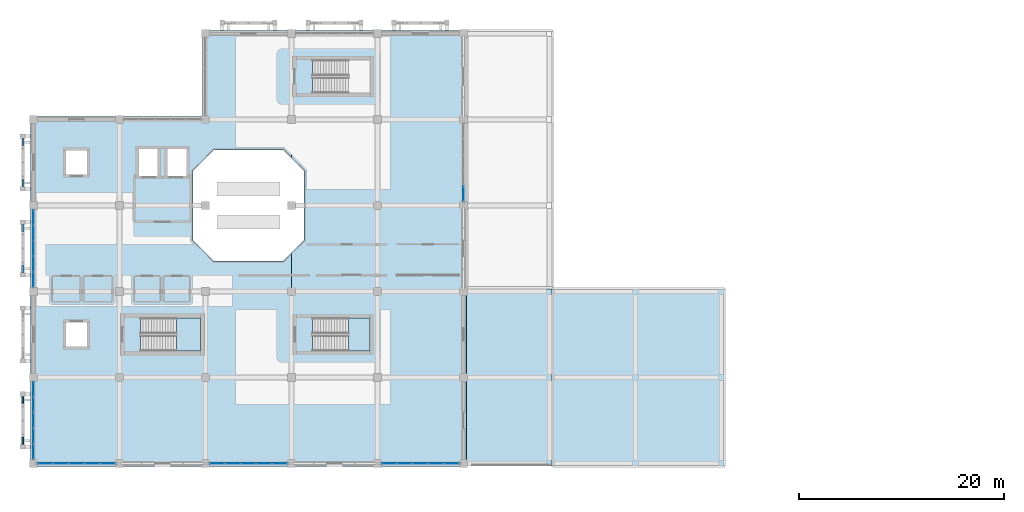
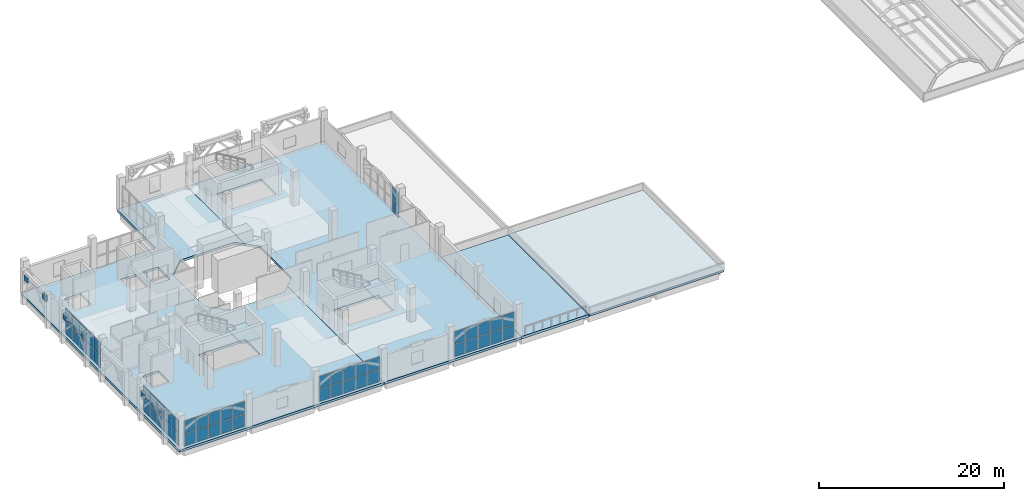
# One storey, part 21 of 34: 58 plates, 6 slabs, 8 elements without a shape of their own.
"""IFC4 building model written with IfcOpenShell, lengths in metres."""

import ifcopenshell
import ifcopenshell.guid

model = None  # the IFC model being written
_history = None  # IfcOwnerHistory: only IFC2X3 demands one
_inside = {}  # id of a spatial element -> (the spatial element, [elements in it])
_under = {}  # id of a project, library or spatial element -> (it, [spatial elements below it])
_declared = {}  # id of a project -> (the project, [libraries it declares])
_typed = {}  # id of a type object -> (the type object, [elements of that type])
_made_of = {}  # id of a material, layer set ... -> (it, [elements and type objects made of it])


def new_model(schema):
    """Start an empty IFC model of exactly this schema.

    Asked for "IFC4X3", IfcOpenShell would pick the latest addendum, in which some entities
    have other attributes; the version numbers below select the first issue.
    IFC2X3 requires an IfcOwnerHistory on every rooted entity: one is made here for all.
    """
    global model, _history
    if schema == "IFC4X3":
        model = ifcopenshell.file(schema_version=(4, 3, 0, 0))
    else:
        model = ifcopenshell.file(schema=schema)
    _inside.clear()
    _under.clear()
    _declared.clear()
    _typed.clear()
    _made_of.clear()
    _history = None
    if model.schema == "IFC2X3":
        org = make("IfcOrganization", Name="unknown")
        user = make(
            "IfcPersonAndOrganization",
            ThePerson=make("IfcPerson", FamilyName="unknown"),
            TheOrganization=org,
        )
        app = make(
            "IfcApplication",
            ApplicationDeveloper=org,
            Version="unknown",
            ApplicationFullName="unknown",
            ApplicationIdentifier="unknown",
        )
        _history = make(
            "IfcOwnerHistory",
            OwningUser=user,
            OwningApplication=app,
            ChangeAction="ADDED",
            CreationDate=0,
        )
    return model


def make(cls, **values):
    """One entity of the class cls with the attributes given. An attribute that is None is left unset."""
    return model.create_entity(
        cls, **{name: value for name, value in values.items() if value is not None}
    )


def rooted(cls, **values):
    """An entity with a GlobalId (a new one), such as an element, a storey or a relation."""
    return make(cls, GlobalId=ifcopenshell.guid.new(), OwnerHistory=_history, **values)


def si_unit(unit_type, name, prefix=None):
    """IfcSIUnit, for example si_unit("LENGTHUNIT", "METRE", prefix="MILLI")."""
    return make("IfcSIUnit", UnitType=unit_type, Prefix=prefix, Name=name)


def assignment(units):
    """IfcUnitAssignment: the units of a project."""
    return None if units is None else make("IfcUnitAssignment", Units=units)


def point(xyz):
    """IfcCartesianPoint."""
    return None if xyz is None else make("IfcCartesianPoint", Coordinates=xyz)


def direction(xyz):
    """IfcDirection."""
    return None if xyz is None else make("IfcDirection", DirectionRatios=xyz)


def frame(location, z_axis=None, x_axis=None):
    """IfcAxis2Placement3D, a coordinate frame: its origin and axes. An axis left out is left unset."""
    return make(
        "IfcAxis2Placement3D",
        Location=point(location),
        Axis=direction(z_axis),
        RefDirection=direction(x_axis),
    )


def frame_2d(location, x_axis=None):
    """IfcAxis2Placement2D, a coordinate frame in the plane: its origin and x axis."""
    return make(
        "IfcAxis2Placement2D", Location=point(location), RefDirection=direction(x_axis)
    )


def origin():
    """The frame at (0, 0, 0) with its axes left unset."""
    return frame((0.0, 0.0, 0.0))


def origin_2d():
    """The frame at (0, 0) in the plane with its x axis left unset."""
    return frame_2d((0.0, 0.0))


def place(relative_to, where):
    """IfcLocalPlacement: puts the frame where relative to a parent placement (None: the world)."""
    return make(
        "IfcLocalPlacement", PlacementRelTo=relative_to, RelativePlacement=where
    )


def context(
    kind, dimensions, precision=None, world=None, true_north=None, identifier=None
):
    """IfcGeometricRepresentationContext, for example the 3D "Model" context."""
    return make(
        "IfcGeometricRepresentationContext",
        ContextIdentifier=identifier,
        ContextType=kind,
        CoordinateSpaceDimension=dimensions,
        Precision=precision,
        WorldCoordinateSystem=world,
        TrueNorth=true_north,
    )


def subcontext(parent, identifier, kind, view, scale=None):
    """IfcGeometricRepresentationSubContext, for example "Body" below "Model"."""
    return make(
        "IfcGeometricRepresentationSubContext",
        ContextIdentifier=identifier,
        ContextType=kind,
        ParentContext=parent,
        TargetScale=scale,
        TargetView=view,
    )


def project(units=None, contexts=None):
    """IfcProject with its units and contexts."""
    return rooted(
        "IfcProject",
        Name="project",
        RepresentationContexts=contexts,
        UnitsInContext=assignment(units),
    )


def spatial(cls, under=None, at=None, **own):
    """A site, building, storey or space (cls), placed at a placement, below another one or the project."""
    s = rooted(cls, ObjectPlacement=at, **own)
    if under is not None:
        _under.setdefault(under.id(), (under, []))[1].append(s)
    return s


def polyline(points):
    """IfcPolyline through the points."""
    return make("IfcPolyline", Points=[point(p) for p in points])


def profile(cls, at=None, kind="AREA", **sizes):
    """A parametric profile (cls). Its sizes go by their IFC names, for example OverallWidth=200.0."""
    return make(cls, ProfileType=kind, Position=at, **sizes)


def rectangle(**sizes):
    """IfcRectangleProfileDef."""
    return profile("IfcRectangleProfileDef", **sizes)


def outline(outer, holes=None, kind="AREA"):
    """IfcArbitraryClosedProfileDef: a profile drawn as a closed curve; with holes, ...WithVoids."""
    if holes is None:
        return make("IfcArbitraryClosedProfileDef", ProfileType=kind, OuterCurve=outer)
    return make(
        "IfcArbitraryProfileDefWithVoids",
        ProfileType=kind,
        OuterCurve=outer,
        InnerCurves=holes,
    )


def extrude(swept, where, along, depth):
    """IfcExtrudedAreaSolid: the profile swept, set in the frame where, extruded along a direction by depth."""
    return make(
        "IfcExtrudedAreaSolid",
        SweptArea=swept,
        Position=where,
        ExtrudedDirection=direction(along),
        Depth=depth,
    )


def shape(context_of_items, identifier, shape_type, items):
    """IfcShapeRepresentation: the items that make up one representation, for example the "Body"."""
    return make(
        "IfcShapeRepresentation",
        ContextOfItems=context_of_items,
        RepresentationIdentifier=identifier,
        RepresentationType=shape_type,
        Items=items,
    )


def material(Name=None, Category=None):
    """IfcMaterial."""
    return make("IfcMaterial", Name=Name, Category=Category)


def layer(
    of_material, thickness, ventilated=None, Name=None, Category=None, Priority=None
):
    """IfcMaterialLayer: one layer of a wall or slab, of a material (None: an air gap)."""
    return make(
        "IfcMaterialLayer",
        Material=of_material,
        LayerThickness=thickness,
        IsVentilated=ventilated,
        Name=Name,
        Category=Category,
        Priority=Priority,
    )


def layer_set(layers, Name=None):
    """IfcMaterialLayerSet."""
    return make("IfcMaterialLayerSet", MaterialLayers=layers, LayerSetName=Name)


def made_of(thing, what):
    """Note that an element or type object is made of a material, layer set ...; save() writes the relation."""
    if what is not None:
        _made_of.setdefault(what.id(), (what, []))[1].append(thing)
    return thing


def type_object(cls, material=None, **own):
    """A type object (cls), such as IfcWallType, which elements share."""
    return made_of(rooted(cls, **own), material)


def element(
    cls,
    number,
    at=None,
    inside=None,
    cuts=None,
    type_object=None,
    material=None,
    context=None,
    identifier="Body",
    shape_type=None,
    held_by="IfcProductDefinitionShape",
    body=None,
    shapes=None,
    **own,
):
    """One element of the class cls, such as IfcWall. Its Tag is "e" and its number.

    at: its placement. inside: the storey or other place that contains it. cuts: it is an
    opening in that element (IfcRelVoidsElement). A single representation is given by context,
    identifier, shape_type and body (its items); several are given by shapes. held_by: the class
    of the entity that holds the representations. save() writes the other relations.
    """
    e = rooted(cls, Tag="e%d" % number, ObjectPlacement=at, **own)
    if body is not None:
        shapes = [shape(context, identifier, shape_type, body)]
    if shapes is not None:
        e.Representation = make(held_by, Representations=shapes)
    if inside is not None:
        _inside.setdefault(inside.id(), (inside, []))[1].append(e)
    if cuts is not None:
        rooted(
            "IfcRelVoidsElement", RelatingBuildingElement=cuts, RelatedOpeningElement=e
        )
    if type_object is not None:
        _typed.setdefault(type_object.id(), (type_object, []))[1].append(e)
    return made_of(e, material)


def aggregate(whole, parts):
    """IfcRelAggregates: a whole, such as a stair, and the parts it consists of."""
    return rooted("IfcRelAggregates", RelatingObject=whole, RelatedObjects=parts)


def save(model, path):
    """Write the relations noted so far, then the file.

    IfcRelAggregates (storeys below a building ...), IfcRelContainedInSpatialStructure (elements
    in a storey), IfcRelDefinesByType, IfcRelAssociatesMaterial and IfcRelDeclares: one each for
    every whole, place, type object, material and project.
    """
    for whole, parts in _under.values():
        aggregate(whole, parts)
    for where, things in _inside.values():
        rooted(
            "IfcRelContainedInSpatialStructure",
            RelatedElements=things,
            RelatingStructure=where,
        )
    for kind, things in _typed.values():
        rooted("IfcRelDefinesByType", RelatedObjects=things, RelatingType=kind)
    for what, things in _made_of.values():
        rooted("IfcRelAssociatesMaterial", RelatedObjects=things, RelatingMaterial=what)
    for by, libraries in _declared.values():
        rooted("IfcRelDeclares", RelatingContext=by, RelatedDefinitions=libraries)
    model.write(path)


model = new_model("IFC4")

# Units and contexts
model_context = context("Model", 3, precision=1e-05, world=origin(), true_north=direction((0.0, 1.0)))
body_context = subcontext(model_context, "Body", "Model", "MODEL_VIEW")
ifc_project = project(units=[si_unit("LENGTHUNIT", "METRE"), si_unit("AREAUNIT", "SQUARE_METRE"), si_unit("VOLUMEUNIT", "CUBIC_METRE"), si_unit("PLANEANGLEUNIT", "RADIAN"), si_unit("MASSUNIT", "GRAM", prefix="KILO")], contexts=[model_context])

# Site, building, storey
site_placement = place(None, origin())
site = spatial("IfcSite", under=ifc_project, at=site_placement, CompositionType="ELEMENT")
building_placement = place(site_placement, origin())
building = spatial("IfcBuilding", under=site, at=building_placement, Name="Xazarin Passage Department Store", CompositionType="ELEMENT")
storey_placement = place(building_placement, frame((0.0, 0.0, 18.89990234375)))
storey = spatial("IfcBuildingStorey", under=building, at=storey_placement, Name="L04", CompositionType="ELEMENT", Elevation=18.89990234375)

# Curtain wall, plates
ifc_material_1 = material(Name="Bronze anodised aluminium", Category="aluminium")
ifc_layer_1 = layer(ifc_material_1, 0.199951171875)
ifc_layer_set_1 = layer_set([ifc_layer_1], Name="Bronze anodised aluminium")
curtain_wall_type = type_object("IfcCurtainWallType", Name="ARC-CW-VIT2", PredefinedType="NOTDEFINED", material=ifc_layer_set_1)
curtain_wall_1_placement = place(storey_placement, origin())
curtain_wall_1 = element("IfcCurtainWall", 1, at=curtain_wall_1_placement, inside=storey, type_object=curtain_wall_type, Name="L04 V1 Curtain Wall 067", PredefinedType="NOTDEFINED")
ifc_material_2 = material(Name="Low-E laminated safety glass", Category="glass")
ifc_layer_2 = layer(ifc_material_2, 0.031982421875)
ifc_layer_set_2 = layer_set([ifc_layer_2], Name="Low-E laminated safety glass")
plate_type_1 = type_object("IfcPlateType", Name="ARC-CWP-GLZ32", PredefinedType="CURTAIN_PANEL", material=ifc_layer_set_2)
plate_1_placement = place(storey_placement, frame((1.15869140625, 68.0, 0.0751953125), z_axis=(0.0, 0.0, 1.0), x_axis=(1.0, 0.0, 0.0)))
plate_1 = element("IfcPlate", 2, at=plate_1_placement, type_object=plate_type_1, Name="CW2 panel 1.1", PredefinedType="CURTAIN_PANEL", context=body_context, shape_type="SweptSolid", body=[
    extrude(rectangle(XDim=1.41748046875, YDim=0.031982421875, at=origin_2d()), origin(), (0.0, 0.0, 1.0), 1.612548828125),
])
plate_2_placement = place(storey_placement, frame((1.15869140625, 68.0, 1.7626953125), z_axis=(0.0, 0.0, 1.0), x_axis=(1.0, 0.0, 0.0)))
plate_2 = element("IfcPlate", 3, at=plate_2_placement, type_object=plate_type_1, Name="CW2 panel 1.2", PredefinedType="CURTAIN_PANEL", context=body_context, shape_type="SweptSolid", body=[
    extrude(rectangle(XDim=1.41748046875, YDim=0.031982421875, at=origin_2d()), origin(), (0.0, 0.0, 1.0), 1.612548828125),
])
plate_3_placement = place(storey_placement, frame((2.669921875, 68.0, 0.0751953125), z_axis=(0.0, 0.0, 1.0), x_axis=(1.0, 0.0, 0.0)))
plate_3 = element("IfcPlate", 4, at=plate_3_placement, type_object=plate_type_1, Name="CW2 panel 2.1", PredefinedType="CURTAIN_PANEL", context=body_context, shape_type="SweptSolid", body=[
    extrude(rectangle(XDim=1.455078125, YDim=0.031982421875, at=origin_2d()), origin(), (0.0, 0.0, 1.0), 1.612548828125),
])
plate_4_placement = place(storey_placement, frame((2.669921875, 68.0, 1.7626953125), z_axis=(0.0, 0.0, 1.0), x_axis=(1.0, 0.0, 0.0)))
plate_4 = element("IfcPlate", 5, at=plate_4_placement, type_object=plate_type_1, Name="CW2 panel 2.2", PredefinedType="CURTAIN_PANEL", context=body_context, shape_type="SweptSolid", body=[
    extrude(rectangle(XDim=1.455078125, YDim=0.031982421875, at=origin_2d()), origin(), (0.0, 0.0, 1.0), 1.612548828125),
])
plate_5_placement = place(storey_placement, frame((4.199951171875, 68.0, 0.0751953125), z_axis=(0.0, 0.0, 1.0), x_axis=(1.0, 0.0, 0.0)))
plate_5 = element("IfcPlate", 6, at=plate_5_placement, type_object=plate_type_1, Name="CW2 panel 3.1", PredefinedType="CURTAIN_PANEL", context=body_context, shape_type="SweptSolid", body=[
    extrude(rectangle(XDim=1.455078125, YDim=0.031982421875, at=origin_2d()), origin(), (0.0, 0.0, 1.0), 1.612548828125),
])
plate_6_placement = place(storey_placement, frame((4.199951171875, 68.0, 1.7626953125), z_axis=(0.0, 0.0, 1.0), x_axis=(1.0, 0.0, 0.0)))
plate_6 = element("IfcPlate", 7, at=plate_6_placement, type_object=plate_type_1, Name="CW2 panel 3.2", PredefinedType="CURTAIN_PANEL", context=body_context, shape_type="SweptSolid", body=[
    extrude(rectangle(XDim=1.455078125, YDim=0.031982421875, at=origin_2d()), origin(), (0.0, 0.0, 1.0), 1.612548828125),
])
plate_7_placement = place(storey_placement, frame((5.72998046875, 68.0, 0.0751953125), z_axis=(0.0, 0.0, 1.0), x_axis=(1.0, 0.0, 0.0)))
plate_7 = element("IfcPlate", 8, at=plate_7_placement, type_object=plate_type_1, Name="CW2 panel 4.1", PredefinedType="CURTAIN_PANEL", context=body_context, shape_type="SweptSolid", body=[
    extrude(rectangle(XDim=1.455078125, YDim=0.031982421875, at=origin_2d()), origin(), (0.0, 0.0, 1.0), 1.612548828125),
])
plate_8_placement = place(storey_placement, frame((5.72998046875, 68.0, 1.7626953125), z_axis=(0.0, 0.0, 1.0), x_axis=(1.0, 0.0, 0.0)))
plate_8 = element("IfcPlate", 9, at=plate_8_placement, type_object=plate_type_1, Name="CW2 panel 4.2", PredefinedType="CURTAIN_PANEL", context=body_context, shape_type="SweptSolid", body=[
    extrude(rectangle(XDim=1.455078125, YDim=0.031982421875, at=origin_2d()), origin(), (0.0, 0.0, 1.0), 1.612548828125),
])
plate_9_placement = place(storey_placement, frame((7.2412109375, 68.0, 0.0751953125), z_axis=(0.0, 0.0, 1.0), x_axis=(1.0, 0.0, 0.0)))
plate_9 = element("IfcPlate", 10, at=plate_9_placement, type_object=plate_type_1, Name="CW2 panel 5.1", PredefinedType="CURTAIN_PANEL", context=body_context, shape_type="SweptSolid", body=[
    extrude(rectangle(XDim=1.41748046875, YDim=0.031982421875, at=origin_2d()), origin(), (0.0, 0.0, 1.0), 1.612548828125),
])
plate_10_placement = place(storey_placement, frame((7.2412109375, 68.0, 1.7626953125), z_axis=(0.0, 0.0, 1.0), x_axis=(1.0, 0.0, 0.0)))
plate_10 = element("IfcPlate", 11, at=plate_10_placement, type_object=plate_type_1, Name="CW2 panel 5.2", PredefinedType="CURTAIN_PANEL", context=body_context, shape_type="SweptSolid", body=[
    extrude(rectangle(XDim=1.41748046875, YDim=0.031982421875, at=origin_2d()), origin(), (0.0, 0.0, 1.0), 1.612548828125),
])
aggregate(curtain_wall_1, [plate_1, plate_2, plate_3, plate_4, plate_5, plate_6, plate_7, plate_8, plate_9, plate_10])

curtain_wall_2_placement = place(storey_placement, origin())
curtain_wall_2 = element("IfcCurtainWall", 12, at=curtain_wall_2_placement, inside=storey, type_object=curtain_wall_type, Name="L04 V1 Curtain Wall 068", PredefinedType="NOTDEFINED")
plate_11_placement = place(storey_placement, frame((17.958740234375, 68.0, 0.0751953125), z_axis=(0.0, 0.0, 1.0), x_axis=(1.0, 0.0, 0.0)))
plate_11 = element("IfcPlate", 13, at=plate_11_placement, type_object=plate_type_1, Name="CW2 panel 1.1", PredefinedType="CURTAIN_PANEL", context=body_context, shape_type="SweptSolid", body=[
    extrude(rectangle(XDim=1.41748046875, YDim=0.031982421875, at=origin_2d()), origin(), (0.0, 0.0, 1.0), 1.612548828125),
])
plate_12_placement = place(storey_placement, frame((17.958740234375, 68.0, 1.7626953125), z_axis=(0.0, 0.0, 1.0), x_axis=(1.0, 0.0, 0.0)))
plate_12 = element("IfcPlate", 14, at=plate_12_placement, type_object=plate_type_1, Name="CW2 panel 1.2", PredefinedType="CURTAIN_PANEL", context=body_context, shape_type="SweptSolid", body=[
    extrude(rectangle(XDim=1.41748046875, YDim=0.031982421875, at=origin_2d()), origin(), (0.0, 0.0, 1.0), 1.612548828125),
])
plate_13_placement = place(storey_placement, frame((19.469970703125, 68.0, 0.0751953125), z_axis=(0.0, 0.0, 1.0), x_axis=(1.0, 0.0, 0.0)))
plate_13 = element("IfcPlate", 15, at=plate_13_placement, type_object=plate_type_1, Name="CW2 panel 2.1", PredefinedType="CURTAIN_PANEL", context=body_context, shape_type="SweptSolid", body=[
    extrude(rectangle(XDim=1.455078125, YDim=0.031982421875, at=origin_2d()), origin(), (0.0, 0.0, 1.0), 1.612548828125),
])
plate_14_placement = place(storey_placement, frame((19.469970703125, 68.0, 1.7626953125), z_axis=(0.0, 0.0, 1.0), x_axis=(1.0, 0.0, 0.0)))
plate_14 = element("IfcPlate", 16, at=plate_14_placement, type_object=plate_type_1, Name="CW2 panel 2.2", PredefinedType="CURTAIN_PANEL", context=body_context, shape_type="SweptSolid", body=[
    extrude(rectangle(XDim=1.455078125, YDim=0.031982421875, at=origin_2d()), origin(), (0.0, 0.0, 1.0), 1.612548828125),
])
plate_15_placement = place(storey_placement, frame((21.0, 68.0, 0.0751953125), z_axis=(0.0, 0.0, 1.0), x_axis=(1.0, 0.0, 0.0)))
plate_15 = element("IfcPlate", 17, at=plate_15_placement, type_object=plate_type_1, Name="CW2 panel 3.1", PredefinedType="CURTAIN_PANEL", context=body_context, shape_type="SweptSolid", body=[
    extrude(rectangle(XDim=1.455078125, YDim=0.031982421875, at=origin_2d()), origin(), (0.0, 0.0, 1.0), 1.612548828125),
])
plate_16_placement = place(storey_placement, frame((21.0, 68.0, 1.7626953125), z_axis=(0.0, 0.0, 1.0), x_axis=(1.0, 0.0, 0.0)))
plate_16 = element("IfcPlate", 18, at=plate_16_placement, type_object=plate_type_1, Name="CW2 panel 3.2", PredefinedType="CURTAIN_PANEL", context=body_context, shape_type="SweptSolid", body=[
    extrude(rectangle(XDim=1.455078125, YDim=0.031982421875, at=origin_2d()), origin(), (0.0, 0.0, 1.0), 1.612548828125),
])
plate_17_placement = place(storey_placement, frame((22.530029296875, 68.0, 0.0751953125), z_axis=(0.0, 0.0, 1.0), x_axis=(1.0, 0.0, 0.0)))
plate_17 = element("IfcPlate", 19, at=plate_17_placement, type_object=plate_type_1, Name="CW2 panel 4.1", PredefinedType="CURTAIN_PANEL", context=body_context, shape_type="SweptSolid", body=[
    extrude(rectangle(XDim=1.455078125, YDim=0.031982421875, at=origin_2d()), origin(), (0.0, 0.0, 1.0), 1.612548828125),
])
plate_18_placement = place(storey_placement, frame((22.530029296875, 68.0, 1.7626953125), z_axis=(0.0, 0.0, 1.0), x_axis=(1.0, 0.0, 0.0)))
plate_18 = element("IfcPlate", 20, at=plate_18_placement, type_object=plate_type_1, Name="CW2 panel 4.2", PredefinedType="CURTAIN_PANEL", context=body_context, shape_type="SweptSolid", body=[
    extrude(rectangle(XDim=1.455078125, YDim=0.031982421875, at=origin_2d()), origin(), (0.0, 0.0, 1.0), 1.612548828125),
])
plate_19_placement = place(storey_placement, frame((24.041259765625, 68.0, 0.0751953125), z_axis=(0.0, 0.0, 1.0), x_axis=(1.0, 0.0, 0.0)))
plate_19 = element("IfcPlate", 21, at=plate_19_placement, type_object=plate_type_1, Name="CW2 panel 5.1", PredefinedType="CURTAIN_PANEL", context=body_context, shape_type="SweptSolid", body=[
    extrude(rectangle(XDim=1.41748046875, YDim=0.031982421875, at=origin_2d()), origin(), (0.0, 0.0, 1.0), 1.612548828125),
])
plate_20_placement = place(storey_placement, frame((24.041259765625, 68.0, 1.7626953125), z_axis=(0.0, 0.0, 1.0), x_axis=(1.0, 0.0, 0.0)))
plate_20 = element("IfcPlate", 22, at=plate_20_placement, type_object=plate_type_1, Name="CW2 panel 5.2", PredefinedType="CURTAIN_PANEL", context=body_context, shape_type="SweptSolid", body=[
    extrude(rectangle(XDim=1.41748046875, YDim=0.031982421875, at=origin_2d()), origin(), (0.0, 0.0, 1.0), 1.612548828125),
])
aggregate(curtain_wall_2, [plate_11, plate_12, plate_13, plate_14, plate_15, plate_16, plate_17, plate_18, plate_19, plate_20])

curtain_wall_3_placement = place(storey_placement, origin())
curtain_wall_3 = element("IfcCurtainWall", 23, at=curtain_wall_3_placement, inside=storey, type_object=curtain_wall_type, Name="L04 V1 Curtain Wall 069", PredefinedType="NOTDEFINED")
plate_21_placement = place(storey_placement, frame((34.7587890625, 68.0, 0.0751953125), z_axis=(0.0, 0.0, 1.0), x_axis=(1.0, 0.0, 0.0)))
plate_21 = element("IfcPlate", 24, at=plate_21_placement, type_object=plate_type_1, Name="CW2 panel 1.1", PredefinedType="CURTAIN_PANEL", context=body_context, shape_type="SweptSolid", body=[
    extrude(rectangle(XDim=1.41748046875, YDim=0.031982421875, at=origin_2d()), origin(), (0.0, 0.0, 1.0), 1.612548828125),
])
plate_22_placement = place(storey_placement, frame((34.7587890625, 68.0, 1.7626953125), z_axis=(0.0, 0.0, 1.0), x_axis=(1.0, 0.0, 0.0)))
plate_22 = element("IfcPlate", 25, at=plate_22_placement, type_object=plate_type_1, Name="CW2 panel 1.2", PredefinedType="CURTAIN_PANEL", context=body_context, shape_type="SweptSolid", body=[
    extrude(rectangle(XDim=1.41748046875, YDim=0.031982421875, at=origin_2d()), origin(), (0.0, 0.0, 1.0), 1.612548828125),
])
plate_23_placement = place(storey_placement, frame((36.27001953125, 68.0, 0.0751953125), z_axis=(0.0, 0.0, 1.0), x_axis=(1.0, 0.0, 0.0)))
plate_23 = element("IfcPlate", 26, at=plate_23_placement, type_object=plate_type_1, Name="CW2 panel 2.1", PredefinedType="CURTAIN_PANEL", context=body_context, shape_type="SweptSolid", body=[
    extrude(rectangle(XDim=1.455078125, YDim=0.031982421875, at=origin_2d()), origin(), (0.0, 0.0, 1.0), 1.612548828125),
])
plate_24_placement = place(storey_placement, frame((36.27001953125, 68.0, 1.7626953125), z_axis=(0.0, 0.0, 1.0), x_axis=(1.0, 0.0, 0.0)))
plate_24 = element("IfcPlate", 27, at=plate_24_placement, type_object=plate_type_1, Name="CW2 panel 2.2", PredefinedType="CURTAIN_PANEL", context=body_context, shape_type="SweptSolid", body=[
    extrude(rectangle(XDim=1.455078125, YDim=0.031982421875, at=origin_2d()), origin(), (0.0, 0.0, 1.0), 1.612548828125),
])
plate_25_placement = place(storey_placement, frame((37.800048828125, 68.0, 0.0751953125), z_axis=(0.0, 0.0, 1.0), x_axis=(1.0, 0.0, 0.0)))
plate_25 = element("IfcPlate", 28, at=plate_25_placement, type_object=plate_type_1, Name="CW2 panel 3.1", PredefinedType="CURTAIN_PANEL", context=body_context, shape_type="SweptSolid", body=[
    extrude(rectangle(XDim=1.455078125, YDim=0.031982421875, at=origin_2d()), origin(), (0.0, 0.0, 1.0), 1.612548828125),
])
plate_26_placement = place(storey_placement, frame((37.800048828125, 68.0, 1.7626953125), z_axis=(0.0, 0.0, 1.0), x_axis=(1.0, 0.0, 0.0)))
plate_26 = element("IfcPlate", 29, at=plate_26_placement, type_object=plate_type_1, Name="CW2 panel 3.2", PredefinedType="CURTAIN_PANEL", context=body_context, shape_type="SweptSolid", body=[
    extrude(rectangle(XDim=1.455078125, YDim=0.031982421875, at=origin_2d()), origin(), (0.0, 0.0, 1.0), 1.612548828125),
])
plate_27_placement = place(storey_placement, frame((39.330078125, 68.0, 0.0751953125), z_axis=(0.0, 0.0, 1.0), x_axis=(1.0, 0.0, 0.0)))
plate_27 = element("IfcPlate", 30, at=plate_27_placement, type_object=plate_type_1, Name="CW2 panel 4.1", PredefinedType="CURTAIN_PANEL", context=body_context, shape_type="SweptSolid", body=[
    extrude(rectangle(XDim=1.455078125, YDim=0.031982421875, at=origin_2d()), origin(), (0.0, 0.0, 1.0), 1.612548828125),
])
plate_28_placement = place(storey_placement, frame((39.330078125, 68.0, 1.7626953125), z_axis=(0.0, 0.0, 1.0), x_axis=(1.0, 0.0, 0.0)))
plate_28 = element("IfcPlate", 31, at=plate_28_placement, type_object=plate_type_1, Name="CW2 panel 4.2", PredefinedType="CURTAIN_PANEL", context=body_context, shape_type="SweptSolid", body=[
    extrude(rectangle(XDim=1.455078125, YDim=0.031982421875, at=origin_2d()), origin(), (0.0, 0.0, 1.0), 1.612548828125),
])
plate_29_placement = place(storey_placement, frame((40.84130859375, 68.0, 0.0751953125), z_axis=(0.0, 0.0, 1.0), x_axis=(1.0, 0.0, 0.0)))
plate_29 = element("IfcPlate", 32, at=plate_29_placement, type_object=plate_type_1, Name="CW2 panel 5.1", PredefinedType="CURTAIN_PANEL", context=body_context, shape_type="SweptSolid", body=[
    extrude(rectangle(XDim=1.41748046875, YDim=0.031982421875, at=origin_2d()), origin(), (0.0, 0.0, 1.0), 1.612548828125),
])
plate_30_placement = place(storey_placement, frame((40.84130859375, 68.0, 1.7626953125), z_axis=(0.0, 0.0, 1.0), x_axis=(1.0, 0.0, 0.0)))
plate_30 = element("IfcPlate", 33, at=plate_30_placement, type_object=plate_type_1, Name="CW2 panel 5.2", PredefinedType="CURTAIN_PANEL", context=body_context, shape_type="SweptSolid", body=[
    extrude(rectangle(XDim=1.41748046875, YDim=0.031982421875, at=origin_2d()), origin(), (0.0, 0.0, 1.0), 1.612548828125),
])
aggregate(curtain_wall_3, [plate_21, plate_22, plate_23, plate_24, plate_25, plate_26, plate_27, plate_28, plate_29, plate_30])

curtain_wall_4_placement = place(storey_placement, origin())
curtain_wall_4 = element("IfcCurtainWall", 34, at=curtain_wall_4_placement, inside=storey, type_object=curtain_wall_type, Name="L04 V1 Curtain Wall 072", PredefinedType="NOTDEFINED")
plate_31_placement = place(storey_placement, frame((0.0, 69.15869140625, 0.0751953125), z_axis=(0.0, 0.0, 1.0), x_axis=(0.0, 1.0, 0.0)))
plate_31 = element("IfcPlate", 35, at=plate_31_placement, type_object=plate_type_1, Name="CW2 panel 1.1", PredefinedType="CURTAIN_PANEL", context=body_context, shape_type="SweptSolid", body=[
    extrude(rectangle(XDim=1.41748046875, YDim=0.031982421875, at=origin_2d()), origin(), (0.0, 0.0, 1.0), 1.612548828125),
])
plate_32_placement = place(storey_placement, frame((0.0, 69.15869140625, 1.7626953125), z_axis=(0.0, 0.0, 1.0), x_axis=(0.0, 1.0, 0.0)))
plate_32 = element("IfcPlate", 36, at=plate_32_placement, type_object=plate_type_1, Name="CW2 panel 1.2", PredefinedType="CURTAIN_PANEL", context=body_context, shape_type="SweptSolid", body=[
    extrude(rectangle(XDim=1.41748046875, YDim=0.031982421875, at=origin_2d()), origin(), (0.0, 0.0, 1.0), 1.612548828125),
])
plate_33_placement = place(storey_placement, frame((0.0, 70.669921875, 0.0751953125), z_axis=(0.0, 0.0, 1.0), x_axis=(0.0, 1.0, 0.0)))
plate_33 = element("IfcPlate", 37, at=plate_33_placement, type_object=plate_type_1, Name="CW2 panel 2.1", PredefinedType="CURTAIN_PANEL", context=body_context, shape_type="SweptSolid", body=[
    extrude(rectangle(XDim=1.455078125, YDim=0.031982421875, at=origin_2d()), origin(), (0.0, 0.0, 1.0), 1.612548828125),
])
plate_34_placement = place(storey_placement, frame((0.0, 70.669921875, 1.7626953125), z_axis=(0.0, 0.0, 1.0), x_axis=(0.0, 1.0, 0.0)))
plate_34 = element("IfcPlate", 38, at=plate_34_placement, type_object=plate_type_1, Name="CW2 panel 2.2", PredefinedType="CURTAIN_PANEL", context=body_context, shape_type="SweptSolid", body=[
    extrude(rectangle(XDim=1.455078125, YDim=0.031982421875, at=origin_2d()), origin(), (0.0, 0.0, 1.0), 1.612548828125),
])
plate_35_placement = place(storey_placement, frame((0.0, 72.199951171875, 0.0751953125), z_axis=(0.0, 0.0, 1.0), x_axis=(0.0, 1.0, 0.0)))
plate_35 = element("IfcPlate", 39, at=plate_35_placement, type_object=plate_type_1, Name="CW2 panel 3.1", PredefinedType="CURTAIN_PANEL", context=body_context, shape_type="SweptSolid", body=[
    extrude(rectangle(XDim=1.455078125, YDim=0.031982421875, at=origin_2d()), origin(), (0.0, 0.0, 1.0), 1.612548828125),
])
plate_36_placement = place(storey_placement, frame((0.0, 72.199951171875, 1.7626953125), z_axis=(0.0, 0.0, 1.0), x_axis=(0.0, 1.0, 0.0)))
plate_36 = element("IfcPlate", 40, at=plate_36_placement, type_object=plate_type_1, Name="CW2 panel 3.2", PredefinedType="CURTAIN_PANEL", context=body_context, shape_type="SweptSolid", body=[
    extrude(rectangle(XDim=1.455078125, YDim=0.031982421875, at=origin_2d()), origin(), (0.0, 0.0, 1.0), 1.612548828125),
])
plate_37_placement = place(storey_placement, frame((0.0, 73.72998046875, 0.0751953125), z_axis=(0.0, 0.0, 1.0), x_axis=(0.0, 1.0, 0.0)))
plate_37 = element("IfcPlate", 41, at=plate_37_placement, type_object=plate_type_1, Name="CW2 panel 4.1", PredefinedType="CURTAIN_PANEL", context=body_context, shape_type="SweptSolid", body=[
    extrude(rectangle(XDim=1.455078125, YDim=0.031982421875, at=origin_2d()), origin(), (0.0, 0.0, 1.0), 1.612548828125),
])
plate_38_placement = place(storey_placement, frame((0.0, 73.72998046875, 1.7626953125), z_axis=(0.0, 0.0, 1.0), x_axis=(0.0, 1.0, 0.0)))
plate_38 = element("IfcPlate", 42, at=plate_38_placement, type_object=plate_type_1, Name="CW2 panel 4.2", PredefinedType="CURTAIN_PANEL", context=body_context, shape_type="SweptSolid", body=[
    extrude(rectangle(XDim=1.455078125, YDim=0.031982421875, at=origin_2d()), origin(), (0.0, 0.0, 1.0), 1.612548828125),
])
plate_39_placement = place(storey_placement, frame((0.0, 75.2412109375, 0.0751953125), z_axis=(0.0, 0.0, 1.0), x_axis=(0.0, 1.0, 0.0)))
plate_39 = element("IfcPlate", 43, at=plate_39_placement, type_object=plate_type_1, Name="CW2 panel 5.1", PredefinedType="CURTAIN_PANEL", context=body_context, shape_type="SweptSolid", body=[
    extrude(rectangle(XDim=1.41748046875, YDim=0.031982421875, at=origin_2d()), origin(), (0.0, 0.0, 1.0), 1.612548828125),
])
plate_40_placement = place(storey_placement, frame((0.0, 75.2412109375, 1.7626953125), z_axis=(0.0, 0.0, 1.0), x_axis=(0.0, 1.0, 0.0)))
plate_40 = element("IfcPlate", 44, at=plate_40_placement, type_object=plate_type_1, Name="CW2 panel 5.2", PredefinedType="CURTAIN_PANEL", context=body_context, shape_type="SweptSolid", body=[
    extrude(rectangle(XDim=1.41748046875, YDim=0.031982421875, at=origin_2d()), origin(), (0.0, 0.0, 1.0), 1.612548828125),
])
aggregate(curtain_wall_4, [plate_31, plate_32, plate_33, plate_34, plate_35, plate_36, plate_37, plate_38, plate_39, plate_40])

curtain_wall_5_placement = place(storey_placement, origin())
curtain_wall_5 = element("IfcCurtainWall", 45, at=curtain_wall_5_placement, inside=storey, type_object=curtain_wall_type, Name="L04 V1 Curtain Wall 073", PredefinedType="NOTDEFINED")
plate_41_placement = place(storey_placement, frame((0.0, 85.958740234375, 0.0751953125), z_axis=(0.0, 0.0, 1.0), x_axis=(0.0, 1.0, 0.0)))
plate_41 = element("IfcPlate", 46, at=plate_41_placement, type_object=plate_type_1, Name="CW2 panel 1.1", PredefinedType="CURTAIN_PANEL", context=body_context, shape_type="SweptSolid", body=[
    extrude(rectangle(XDim=1.41748046875, YDim=0.031982421875, at=origin_2d()), origin(), (0.0, 0.0, 1.0), 1.612548828125),
])
plate_42_placement = place(storey_placement, frame((0.0, 85.958740234375, 1.7626953125), z_axis=(0.0, 0.0, 1.0), x_axis=(0.0, 1.0, 0.0)))
plate_42 = element("IfcPlate", 47, at=plate_42_placement, type_object=plate_type_1, Name="CW2 panel 1.2", PredefinedType="CURTAIN_PANEL", context=body_context, shape_type="SweptSolid", body=[
    extrude(rectangle(XDim=1.41748046875, YDim=0.031982421875, at=origin_2d()), origin(), (0.0, 0.0, 1.0), 1.612548828125),
])
plate_43_placement = place(storey_placement, frame((0.0, 87.469970703125, 0.0751953125), z_axis=(0.0, 0.0, 1.0), x_axis=(0.0, 1.0, 0.0)))
plate_43 = element("IfcPlate", 48, at=plate_43_placement, type_object=plate_type_1, Name="CW2 panel 2.1", PredefinedType="CURTAIN_PANEL", context=body_context, shape_type="SweptSolid", body=[
    extrude(rectangle(XDim=1.455078125, YDim=0.031982421875, at=origin_2d()), origin(), (0.0, 0.0, 1.0), 1.612548828125),
])
plate_44_placement = place(storey_placement, frame((0.0, 87.469970703125, 1.7626953125), z_axis=(0.0, 0.0, 1.0), x_axis=(0.0, 1.0, 0.0)))
plate_44 = element("IfcPlate", 49, at=plate_44_placement, type_object=plate_type_1, Name="CW2 panel 2.2", PredefinedType="CURTAIN_PANEL", context=body_context, shape_type="SweptSolid", body=[
    extrude(rectangle(XDim=1.455078125, YDim=0.031982421875, at=origin_2d()), origin(), (0.0, 0.0, 1.0), 1.612548828125),
])
plate_45_placement = place(storey_placement, frame((0.0, 89.0, 0.0751953125), z_axis=(0.0, 0.0, 1.0), x_axis=(0.0, 1.0, 0.0)))
plate_45 = element("IfcPlate", 50, at=plate_45_placement, type_object=plate_type_1, Name="CW2 panel 3.1", PredefinedType="CURTAIN_PANEL", context=body_context, shape_type="SweptSolid", body=[
    extrude(rectangle(XDim=1.455078125, YDim=0.031982421875, at=origin_2d()), origin(), (0.0, 0.0, 1.0), 1.612548828125),
])
plate_46_placement = place(storey_placement, frame((0.0, 89.0, 1.7626953125), z_axis=(0.0, 0.0, 1.0), x_axis=(0.0, 1.0, 0.0)))
plate_46 = element("IfcPlate", 51, at=plate_46_placement, type_object=plate_type_1, Name="CW2 panel 3.2", PredefinedType="CURTAIN_PANEL", context=body_context, shape_type="SweptSolid", body=[
    extrude(rectangle(XDim=1.455078125, YDim=0.031982421875, at=origin_2d()), origin(), (0.0, 0.0, 1.0), 1.612548828125),
])
plate_47_placement = place(storey_placement, frame((0.0, 90.530029296875, 0.0751953125), z_axis=(0.0, 0.0, 1.0), x_axis=(0.0, 1.0, 0.0)))
plate_47 = element("IfcPlate", 52, at=plate_47_placement, type_object=plate_type_1, Name="CW2 panel 4.1", PredefinedType="CURTAIN_PANEL", context=body_context, shape_type="SweptSolid", body=[
    extrude(rectangle(XDim=1.455078125, YDim=0.031982421875, at=origin_2d()), origin(), (0.0, 0.0, 1.0), 1.612548828125),
])
plate_48_placement = place(storey_placement, frame((0.0, 90.530029296875, 1.7626953125), z_axis=(0.0, 0.0, 1.0), x_axis=(0.0, 1.0, 0.0)))
plate_48 = element("IfcPlate", 53, at=plate_48_placement, type_object=plate_type_1, Name="CW2 panel 4.2", PredefinedType="CURTAIN_PANEL", context=body_context, shape_type="SweptSolid", body=[
    extrude(rectangle(XDim=1.455078125, YDim=0.031982421875, at=origin_2d()), origin(), (0.0, 0.0, 1.0), 1.612548828125),
])
plate_49_placement = place(storey_placement, frame((0.0, 92.041259765625, 0.0751953125), z_axis=(0.0, 0.0, 1.0), x_axis=(0.0, 1.0, 0.0)))
plate_49 = element("IfcPlate", 54, at=plate_49_placement, type_object=plate_type_1, Name="CW2 panel 5.1", PredefinedType="CURTAIN_PANEL", context=body_context, shape_type="SweptSolid", body=[
    extrude(rectangle(XDim=1.41748046875, YDim=0.031982421875, at=origin_2d()), origin(), (0.0, 0.0, 1.0), 1.612548828125),
])
plate_50_placement = place(storey_placement, frame((0.0, 92.041259765625, 1.7626953125), z_axis=(0.0, 0.0, 1.0), x_axis=(0.0, 1.0, 0.0)))
plate_50 = element("IfcPlate", 55, at=plate_50_placement, type_object=plate_type_1, Name="CW2 panel 5.2", PredefinedType="CURTAIN_PANEL", context=body_context, shape_type="SweptSolid", body=[
    extrude(rectangle(XDim=1.41748046875, YDim=0.031982421875, at=origin_2d()), origin(), (0.0, 0.0, 1.0), 1.612548828125),
])
aggregate(curtain_wall_5, [plate_41, plate_42, plate_43, plate_44, plate_45, plate_46, plate_47, plate_48, plate_49, plate_50])

curtain_wall_6_placement = place(storey_placement, origin())
curtain_wall_6 = element("IfcCurtainWall", 56, at=curtain_wall_6_placement, inside=storey, type_object=curtain_wall_type, Name="L04 V1 Curtain Wall 075", PredefinedType="NOTDEFINED")
plate_51_placement = place(storey_placement, frame((42.0, 94.358642578125, 0.0751953125), z_axis=(0.0, 0.0, 1.0), x_axis=(0.0, 1.0, 0.0)))
plate_51 = element("IfcPlate", 57, at=plate_51_placement, type_object=plate_type_1, Name="CW2 panel 1.1", PredefinedType="CURTAIN_PANEL", context=body_context, shape_type="SweptSolid", body=[
    extrude(rectangle(XDim=1.41748046875, YDim=0.031982421875, at=origin_2d()), origin(), (0.0, 0.0, 1.0), 1.612548828125),
])
plate_52_placement = place(storey_placement, frame((42.0, 94.358642578125, 1.7626953125), z_axis=(0.0, 0.0, 1.0), x_axis=(0.0, 1.0, 0.0)))
plate_52 = element("IfcPlate", 58, at=plate_52_placement, type_object=plate_type_1, Name="CW2 panel 1.2", PredefinedType="CURTAIN_PANEL", context=body_context, shape_type="SweptSolid", body=[
    extrude(rectangle(XDim=1.41748046875, YDim=0.031982421875, at=origin_2d()), origin(), (0.0, 0.0, 1.0), 1.612548828125),
])
aggregate(curtain_wall_6, [plate_51, plate_52])

# Plates
ifc_material_3 = material(Name="Precast concrete C40/50", Category="concrete")
ifc_layer_3 = layer(ifc_material_3, 0.179931640625)
ifc_layer_set_3 = layer_set([ifc_layer_3], Name="Precast concrete C40/50")
plate_type_2 = type_object("IfcPlateType", Name="ARC-PLT-SCR-11", PredefinedType="USERDEFINED", material=ifc_layer_set_3)
for number, where, z_axis, x_axis, name in (
    (59, (-1.050048828125, 70.199951171875, 3.26025390625), (0.0, 0.0, 1.0), (0.0, 1.0, 0.0), "L04 V1 Arch Spandrel Tympanum 0091"),
    (60, (-1.050048828125, 74.199951171875, 3.26025390625), (0.0, 0.0, 1.0), (0.0, 1.0, 0.0), "L04 V1 Arch Spandrel Tympanum 0092"),
):
    element("IfcPlate", number, at=place(storey_placement, frame(where, z_axis=z_axis, x_axis=x_axis)), inside=storey, type_object=plate_type_2, Name=name, ObjectType="SCREEN PANEL", PredefinedType="USERDEFINED", context=body_context, shape_type="SweptSolid", body=[
        extrude(rectangle(XDim=0.679931640625, YDim=0.179931640625, at=origin_2d()), origin(), (0.0, 0.0, 1.0), 0.719970703125),
    ])
ifc_layer_4 = layer(ifc_material_3, 0.199951171875)
ifc_layer_set_4 = layer_set([ifc_layer_4], Name="Precast concrete C40/50")
plate_type_3 = type_object("IfcPlateType", Name="ARC-PLT-SCR-13", PredefinedType="USERDEFINED", material=ifc_layer_set_4)
for number, where, z_axis, x_axis, name in (
    (61, (-1.050048828125, 95.39990234375, 3.26025390625), (0.0, 0.0, 1.0), (0.0, 1.0, 0.0), "L04 V1 Arch Spandrel Tympanum 0133"),
    (62, (-1.050048828125, 99.39990234375, 3.26025390625), (0.0, 0.0, 1.0), (0.0, 1.0, 0.0), "L04 V1 Arch Spandrel Tympanum 0134"),
):
    element("IfcPlate", number, at=place(storey_placement, frame(where, z_axis=z_axis, x_axis=x_axis)), inside=storey, type_object=plate_type_3, Name=name, ObjectType="SCREEN PANEL", PredefinedType="USERDEFINED", context=body_context, shape_type="SweptSolid", body=[
        extrude(rectangle(XDim=0.679931640625, YDim=0.199951171875, at=origin_2d()), origin(), (0.0, 0.0, 1.0), 0.719970703125),
    ])
ifc_layer_5 = layer(ifc_material_3, 0.239990234375)
ifc_layer_set_5 = layer_set([ifc_layer_5], Name="Precast concrete C40/50")
plate_type_4 = type_object("IfcPlateType", Name="ARC-PLT-SCR-17", PredefinedType="USERDEFINED", material=ifc_layer_set_5)
for number, where, z_axis, x_axis, name in (
    (63, (-1.050048828125, 87.0, 3.26025390625), (0.0, 0.0, 1.0), (0.0, 1.0, 0.0), "L04 V1 Arch Spandrel Tympanum 0117"),
    (64, (-1.050048828125, 91.0, 3.26025390625), (0.0, 0.0, 1.0), (0.0, 1.0, 0.0), "L04 V1 Arch Spandrel Tympanum 0118"),
):
    element("IfcPlate", number, at=place(storey_placement, frame(where, z_axis=z_axis, x_axis=x_axis)), inside=storey, type_object=plate_type_4, Name=name, ObjectType="SCREEN PANEL", PredefinedType="USERDEFINED", context=body_context, shape_type="SweptSolid", body=[
        extrude(rectangle(XDim=0.679931640625, YDim=0.239990234375, at=origin_2d()), origin(), (0.0, 0.0, 1.0), 0.719970703125),
    ])

# Slabs
ifc_material_4 = material(Name="Concrete C35/45", Category="concrete")
ifc_layer_6 = layer(ifc_material_4, 0.300048828125)
ifc_layer_set_6 = layer_set([ifc_layer_6], Name="Concrete C35/45")
slab_type_1 = type_object("IfcSlabType", Name="STR-SLB-FLR300", PredefinedType="FLOOR", material=ifc_layer_set_6)
slab_1_placement = place(storey_placement, frame((0.0, 0.0, -0.2998046875)))
element("IfcSlab", 65, at=slab_1_placement, inside=storey, type_object=slab_type_1, Name="L04 V1 Suspended Floor Slab Bay 1", PredefinedType="FLOOR", context=body_context, shape_type="SweptSolid", body=[
    extrude(outline(polyline([(25.18994140625, 67.699951171875), (25.18994140625, 88.590087890625), (24.39990234375, 87.800048828125), (17.60009765625, 87.800048828125), (15.60009765625, 89.800048828125), (15.60009765625, 96.60009765625), (17.60009765625, 98.60009765625), (24.39990234375, 98.60009765625), (25.18994140625, 97.81005859375), (25.18994140625, 110.300048828125), (16.5, 110.300048828125), (16.5, 101.89990234375), (-0.300048828125, 101.89990234375), (-0.300048828125, 67.699951171875), (25.18994140625, 67.699951171875)]), holes=[polyline([(16.300048828125, 82.219970703125), (16.300048828125, 78.97998046875), (10.451904296875, 78.97998046875), (10.451904296875, 82.219970703125), (16.300048828125, 82.219970703125)]), polyline([(13.080078125, 98.719970703125), (14.919921875, 98.719970703125), (14.919921875, 96.080078125), (13.080078125, 96.080078125), (13.080078125, 98.719970703125)]), polyline([(10.280029296875, 98.719970703125), (12.1201171875, 98.719970703125), (12.1201171875, 96.080078125), (10.280029296875, 96.080078125), (10.280029296875, 98.719970703125)]), polyline([(3.179931640625, 81.77001953125), (5.219970703125, 81.77001953125), (5.219970703125, 79.429931640625), (3.179931640625, 79.429931640625), (3.179931640625, 81.77001953125)]), polyline([(3.179931640625, 98.570068359375), (5.219970703125, 98.570068359375), (5.219970703125, 96.22998046875), (3.179931640625, 96.22998046875), (3.179931640625, 98.570068359375)])]), origin(), (0.0, 0.0, 1.0), 0.2998046875),
])
slab_2_placement = place(storey_placement, frame((0.0, 0.0, -0.2998046875)))
element("IfcSlab", 66, at=slab_2_placement, inside=storey, type_object=slab_type_1, Name="L04 V1 Suspended Floor Slab Bay 2", PredefinedType="FLOOR", context=body_context, shape_type="SweptSolid", body=[
    extrude(outline(polyline([(42.300048828125, 67.699951171875), (42.300048828125, 110.300048828125), (25.2099609375, 110.300048828125), (25.2099609375, 97.7900390625), (26.39990234375, 96.60009765625), (26.39990234375, 89.800048828125), (25.2099609375, 88.610107421875), (25.2099609375, 67.699951171875), (42.300048828125, 67.699951171875)]), holes=[polyline([(32.85009765625, 82.219970703125), (32.85009765625, 78.97998046875), (27.251953125, 78.97998046875), (27.251953125, 82.219970703125), (32.85009765625, 82.219970703125)]), polyline([(32.85009765625, 107.419921875), (32.85009765625, 104.179931640625), (27.251953125, 104.179931640625), (27.251953125, 107.419921875), (32.85009765625, 107.419921875)])]), origin(), (0.0, 0.0, 1.0), 0.2998046875),
])

# Stair, slab
stair_type = type_object("IfcStairType", Name="ARC-ST-TYP", PredefinedType="HALF_TURN_STAIR", material=ifc_material_4)
stair_1_placement = place(storey_placement, origin())
stair_1 = element("IfcStair", 67, at=stair_1_placement, inside=storey, type_object=stair_type, Name="L04 Exit Stair ST1", PredefinedType="HALF_TURN_STAIR")
ifc_layer_7 = layer(ifc_material_4, 0.199951171875)
ifc_layer_set_7 = layer_set([ifc_layer_7], Name="Concrete C35/45")
slab_type_2 = type_object("IfcSlabType", Name="STR-SLB-LND200", PredefinedType="LANDING", material=ifc_layer_set_7)
slab_3_placement = place(storey_placement, frame((0.0, 0.0, 2.050048828125)))
slab_3 = element("IfcSlab", 68, at=slab_3_placement, type_object=slab_type_2, Name="ST1 landing 1", PredefinedType="LANDING", context=body_context, shape_type="SweptSolid", body=[
    extrude(outline(polyline([(13.949951171875, 78.97998046875), (16.300048828125, 78.97998046875), (16.300048828125, 82.219970703125), (13.949951171875, 82.219970703125), (13.949951171875, 78.97998046875)])), origin(), (0.0, 0.0, 1.0), 0.199951171875),
])
aggregate(stair_1, [slab_3])

stair_2_placement = place(storey_placement, origin())
stair_2 = element("IfcStair", 69, at=stair_2_placement, inside=storey, type_object=stair_type, Name="L04 Exit Stair ST3", PredefinedType="HALF_TURN_STAIR")
slab_4_placement = place(storey_placement, frame((0.0, 0.0, 2.050048828125)))
slab_4 = element("IfcSlab", 70, at=slab_4_placement, type_object=slab_type_2, Name="ST3 landing 1", PredefinedType="LANDING", context=body_context, shape_type="SweptSolid", body=[
    extrude(outline(polyline([(30.75, 78.97998046875), (32.85009765625, 78.97998046875), (32.85009765625, 82.219970703125), (30.75, 82.219970703125), (30.75, 78.97998046875)])), origin(), (0.0, 0.0, 1.0), 0.199951171875),
])
aggregate(stair_2, [slab_4])

# Slabs
ifc_layer_8 = layer(ifc_material_4, 0.260009765625)
ifc_layer_set_8 = layer_set([ifc_layer_8], Name="Concrete C35/45")
slab_type_3 = type_object("IfcSlabType", Name="STR-SLB-RF260", PredefinedType="ROOF", material=ifc_layer_set_8)
slab_5_placement = place(storey_placement, frame((0.0, 0.0, -0.260009765625)))
element("IfcSlab", 71, at=slab_5_placement, inside=storey, type_object=slab_type_3, Name="L04 V1 Setback Roof Slab 1", PredefinedType="ROOF", context=body_context, shape_type="SweptSolid", body=[
    extrude(outline(polyline([(67.5, 67.699951171875), (67.5, 85.10009765625), (50.75, 85.10009765625), (50.75, 67.699951171875), (67.5, 67.699951171875)])), origin(), (0.0, 0.0, 1.0), 0.260009765625),
])
ifc_layer_9 = layer(ifc_material_4, 0.340087890625)
ifc_layer_set_9 = layer_set([ifc_layer_9], Name="Concrete C35/45")
slab_type_4 = type_object("IfcSlabType", Name="STR-SLB-TER340", PredefinedType="FLOOR", material=ifc_layer_set_9)
slab_6_placement = place(storey_placement, frame((0.0, 0.0, -0.33984375)))
element("IfcSlab", 72, at=slab_6_placement, inside=storey, type_object=slab_type_4, Name="L04 V1 Planted Roof Terrace Slab", PredefinedType="FLOOR", context=body_context, shape_type="SweptSolid", body=[
    extrude(outline(polyline([(42.304931640625, 85.050048828125), (42.304931640625, 67.75), (50.64990234375, 67.75), (50.64990234375, 85.050048828125), (42.304931640625, 85.050048828125)])), origin(), (0.0, 0.0, 1.0), 0.33984375),
])

save(model, "model.ifc")
